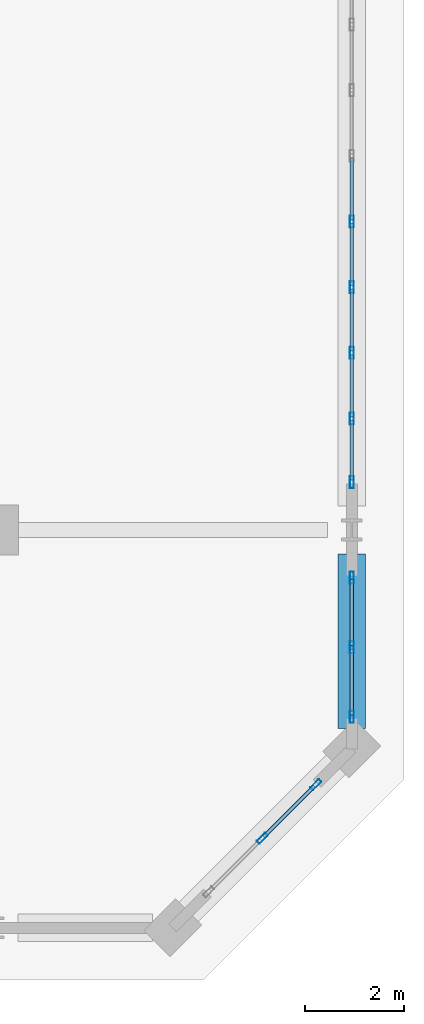
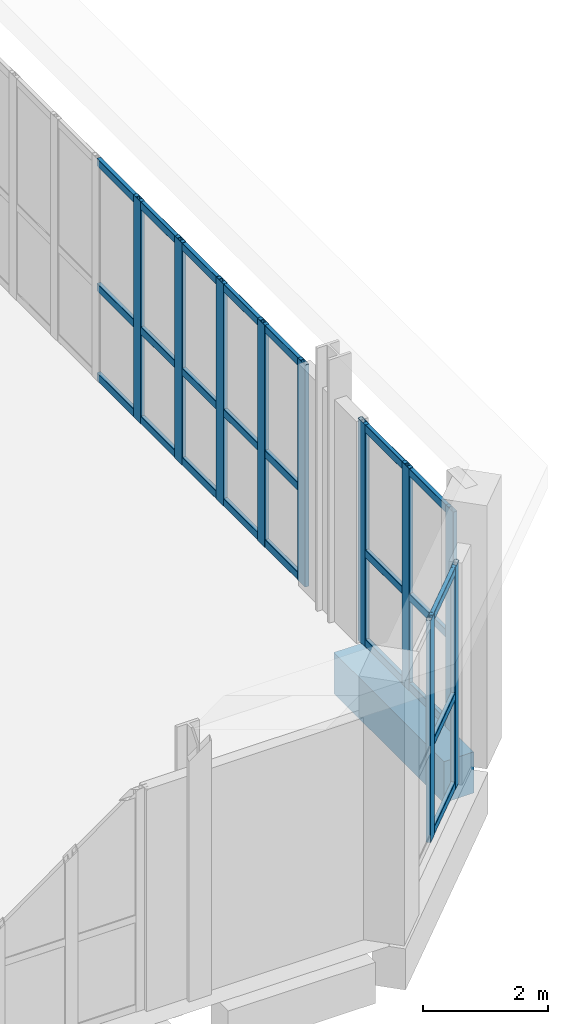
# One storey, part 14 of 26: 34 members, 1 beam, 3 elements without a shape of their own.
"""IFC4 building model written with IfcOpenShell, lengths in metres."""

from ifc_helpers import new_model, si_unit, direction, frame, origin, origin_2d, place, context, subcontext, project, spatial, rectangle, hollow_rectangle, extrude, material, layer, layer_set, material_profile, profile_set, type_object, element, aggregate, save


model = new_model("IFC4")

# Units and contexts
model_context = context("Model", 3, precision=1e-05, world=origin(), true_north=direction((0.0, 1.0)))
body_context = subcontext(model_context, "Body", "Model", "MODEL_VIEW")
ifc_project = project(units=[si_unit("LENGTHUNIT", "METRE"), si_unit("AREAUNIT", "SQUARE_METRE"), si_unit("VOLUMEUNIT", "CUBIC_METRE"), si_unit("PLANEANGLEUNIT", "RADIAN"), si_unit("MASSUNIT", "GRAM", prefix="KILO")], contexts=[model_context])

# Site, building, storey
site_placement = place(None, origin())
site = spatial("IfcSite", under=ifc_project, at=site_placement, CompositionType="ELEMENT")
building_placement = place(site_placement, origin())
building = spatial("IfcBuilding", under=site, at=building_placement, Name="Kaelvorn Grand Hotel", CompositionType="ELEMENT")
storey_placement = place(building_placement, frame((0.0, 0.0, 294.699951171875)))
storey = spatial("IfcBuildingStorey", under=building, at=storey_placement, Name="L72", CompositionType="ELEMENT", Elevation=294.699951171875)

# Beam
ifc_material_1 = material(Name="Concrete C50/60", Category="concrete")
ifc_material_profile_1 = material_profile(ifc_material_1, rectangle(XDim=0.550048828125, YDim=0.800048828125, at=origin_2d()), Name="RC SPANDREL 550x800")
ifc_profile_set_1 = profile_set([ifc_material_profile_1], Name="Concrete C50/60")
beam_type = type_object("IfcBeamType", Name="BM-SP-550x800-C50", PredefinedType="SPANDREL", material=ifc_profile_set_1)
beam_placement = place(storey_placement, frame((75.0, 11.0048828125, -0.780029296875), z_axis=(0.0, 1.0, 0.0), x_axis=(-1.0, 0.0, 0.0)))
element("IfcBeam", 1, at=beam_placement, inside=storey, type_object=beam_type, Name="L72 East Perimeter Spandrel 01", PredefinedType="SPANDREL", context=body_context, shape_type="SweptSolid", body=[
    extrude(rectangle(XDim=0.550048828125, YDim=0.800048828125, at=origin_2d()), origin(), (0.0, 0.0, 1.0), 3.510009765625),
])

# Curtain wall, members
ifc_material_2 = material(Name="Anodised Aluminium", Category="aluminium")
ifc_layer = layer(ifc_material_2, 0.239990234375)
ifc_layer_set = layer_set([ifc_layer], Name="Anodised Aluminium")
curtain_wall_type = type_object("IfcCurtainWallType", Name="CW-SYS5", PredefinedType="NOTDEFINED", material=ifc_layer_set)
curtain_wall_1_placement = place(storey_placement, origin())
curtain_wall_1 = element("IfcCurtainWall", 2, at=curtain_wall_1_placement, inside=storey, type_object=curtain_wall_type, Name="L72 Unitised Curtain Wall CW5 (CW-L72-SE)", PredefinedType="NOTDEFINED")
ifc_material_profile_2 = material_profile(ifc_material_2, hollow_rectangle(XDim=0.080078125, YDim=0.239990234375, WallThickness=0.0048828125, InnerFilletRadius=0.0048828125, OuterFilletRadius=0.010009765625, at=origin_2d()), Name="ALU MULL 80x240")
ifc_profile_set_2 = profile_set([ifc_material_profile_2], Name="Anodised Aluminium")
member_type_1 = type_object("IfcMemberType", Name="CW-SYS5-MULL", PredefinedType="MULLION", material=ifc_profile_set_2)
member_1_placement = place(storey_placement, frame((73.199951171875, 8.800048828125, 0.0), z_axis=(0.0, 0.0, 1.0), x_axis=(-0.707106781187, 0.707106781187, 0.0)))
member_1 = element("IfcMember", 3, at=member_1_placement, type_object=member_type_1, Name="CW5 mullion 2", PredefinedType="MULLION", context=body_context, shape_type="SweptSolid", body=[
    extrude(hollow_rectangle(XDim=0.080078125, YDim=0.239990234375, WallThickness=0.0048828125, InnerFilletRadius=0.0048828125, OuterFilletRadius=0.010009765625, at=origin_2d()), origin(), (0.0, 0.0, 1.0), 4.320068359375),
])
member_2_placement = place(storey_placement, frame((74.27880859375, 9.878662109375, 0.0), z_axis=(0.0, 0.0, 1.0), x_axis=(-0.707106781187, 0.707106781187, 0.0)))
member_2 = element("IfcMember", 4, at=member_2_placement, type_object=member_type_1, Name="CW5 mullion 3", PredefinedType="MULLION", context=body_context, shape_type="SweptSolid", body=[
    extrude(hollow_rectangle(XDim=0.080078125, YDim=0.239990234375, WallThickness=0.0048828125, InnerFilletRadius=0.0048828125, OuterFilletRadius=0.010009765625, at=origin_2d()), origin(), (0.0, 0.0, 1.0), 4.320068359375),
])

curtain_wall_2_placement = place(storey_placement, origin())
curtain_wall_2 = element("IfcCurtainWall", 5, at=curtain_wall_2_placement, inside=storey, type_object=curtain_wall_type, Name="L72 Unitised Curtain Wall CW5 (CW-L72-E-01)", PredefinedType="NOTDEFINED")
member_3_placement = place(storey_placement, frame((75.0, 11.239990234375, 0.0), z_axis=(0.0, 0.0, 1.0), x_axis=(-1.0, 0.0, 0.0)))
member_3 = element("IfcMember", 6, at=member_3_placement, type_object=member_type_1, Name="CW5 mullion 1", PredefinedType="MULLION", context=body_context, shape_type="SweptSolid", body=[
    extrude(hollow_rectangle(XDim=0.080078125, YDim=0.239990234375, WallThickness=0.0048828125, InnerFilletRadius=0.0048828125, OuterFilletRadius=0.010009765625, at=origin_2d()), origin(), (0.0, 0.0, 1.0), 4.320068359375),
])
member_4_placement = place(storey_placement, frame((75.0, 12.639892578125, 0.0), z_axis=(0.0, 0.0, 1.0), x_axis=(-1.0, 0.0, 0.0)))
member_4 = element("IfcMember", 7, at=member_4_placement, type_object=member_type_1, Name="CW5 mullion 2", PredefinedType="MULLION", context=body_context, shape_type="SweptSolid", body=[
    extrude(hollow_rectangle(XDim=0.080078125, YDim=0.239990234375, WallThickness=0.0048828125, InnerFilletRadius=0.0048828125, OuterFilletRadius=0.010009765625, at=origin_2d()), origin(), (0.0, 0.0, 1.0), 4.320068359375),
])
member_5_placement = place(storey_placement, frame((75.0, 14.0400390625, 0.0), z_axis=(0.0, 0.0, 1.0), x_axis=(-1.0, 0.0, 0.0)))
member_5 = element("IfcMember", 8, at=member_5_placement, type_object=member_type_1, Name="CW5 mullion 3", PredefinedType="MULLION", context=body_context, shape_type="SweptSolid", body=[
    extrude(hollow_rectangle(XDim=0.080078125, YDim=0.239990234375, WallThickness=0.0048828125, InnerFilletRadius=0.0048828125, OuterFilletRadius=0.010009765625, at=origin_2d()), origin(), (0.0, 0.0, 1.0), 4.320068359375),
])

curtain_wall_3_placement = place(storey_placement, origin())
curtain_wall_3 = element("IfcCurtainWall", 9, at=curtain_wall_3_placement, inside=storey, type_object=curtain_wall_type, Name="L72 Unitised Curtain Wall CW5 (CW-L72-E-02)", PredefinedType="NOTDEFINED")
member_6_placement = place(storey_placement, frame((75.0, 15.9599609375, 0.0), z_axis=(0.0, 0.0, 1.0), x_axis=(-1.0, 0.0, 0.0)))
member_6 = element("IfcMember", 10, at=member_6_placement, type_object=member_type_1, Name="CW5 mullion 1", PredefinedType="MULLION", context=body_context, shape_type="SweptSolid", body=[
    extrude(hollow_rectangle(XDim=0.080078125, YDim=0.239990234375, WallThickness=0.0048828125, InnerFilletRadius=0.0048828125, OuterFilletRadius=0.010009765625, at=origin_2d()), origin(), (0.0, 0.0, 1.0), 4.320068359375),
])
member_7_placement = place(storey_placement, frame((75.0, 17.239990234375, 0.0), z_axis=(0.0, 0.0, 1.0), x_axis=(-1.0, 0.0, 0.0)))
member_7 = element("IfcMember", 11, at=member_7_placement, type_object=member_type_1, Name="CW5 mullion 2", PredefinedType="MULLION", context=body_context, shape_type="SweptSolid", body=[
    extrude(hollow_rectangle(XDim=0.080078125, YDim=0.239990234375, WallThickness=0.0048828125, InnerFilletRadius=0.0048828125, OuterFilletRadius=0.010009765625, at=origin_2d()), origin(), (0.0, 0.0, 1.0), 4.320068359375),
])
member_8_placement = place(storey_placement, frame((75.0, 18.56005859375, 0.0), z_axis=(0.0, 0.0, 1.0), x_axis=(-1.0, 0.0, 0.0)))
member_8 = element("IfcMember", 12, at=member_8_placement, type_object=member_type_1, Name="CW5 mullion 3", PredefinedType="MULLION", context=body_context, shape_type="SweptSolid", body=[
    extrude(hollow_rectangle(XDim=0.080078125, YDim=0.239990234375, WallThickness=0.0048828125, InnerFilletRadius=0.0048828125, OuterFilletRadius=0.010009765625, at=origin_2d()), origin(), (0.0, 0.0, 1.0), 4.320068359375),
])
member_9_placement = place(storey_placement, frame((75.0, 19.8798828125, 0.0), z_axis=(0.0, 0.0, 1.0), x_axis=(-1.0, 0.0, 0.0)))
member_9 = element("IfcMember", 13, at=member_9_placement, type_object=member_type_1, Name="CW5 mullion 4", PredefinedType="MULLION", context=body_context, shape_type="SweptSolid", body=[
    extrude(hollow_rectangle(XDim=0.080078125, YDim=0.239990234375, WallThickness=0.0048828125, InnerFilletRadius=0.0048828125, OuterFilletRadius=0.010009765625, at=origin_2d()), origin(), (0.0, 0.0, 1.0), 4.320068359375),
])
member_10_placement = place(storey_placement, frame((75.0, 21.199951171875, 0.0), z_axis=(0.0, 0.0, 1.0), x_axis=(-1.0, 0.0, 0.0)))
member_10 = element("IfcMember", 14, at=member_10_placement, type_object=member_type_1, Name="CW5 mullion 5", PredefinedType="MULLION", context=body_context, shape_type="SweptSolid", body=[
    extrude(hollow_rectangle(XDim=0.080078125, YDim=0.239990234375, WallThickness=0.0048828125, InnerFilletRadius=0.0048828125, OuterFilletRadius=0.010009765625, at=origin_2d()), origin(), (0.0, 0.0, 1.0), 4.320068359375),
])

# Member
ifc_material_profile_3 = material_profile(ifc_material_2, hollow_rectangle(XDim=0.074951171875, YDim=0.14990234375, WallThickness=0.00390625, InnerFilletRadius=0.00390625, OuterFilletRadius=0.008056640625, at=origin_2d()), Name="ALU TRAN 75x150")
ifc_profile_set_3 = profile_set([ifc_material_profile_3], Name="Anodised Aluminium")
member_type_2 = type_object("IfcMemberType", Name="CW-SYS5-TRAN", PredefinedType="NOTDEFINED", material=ifc_profile_set_3)
member_11_placement = place(storey_placement, frame((73.228271484375, 8.828369140625, 0.074951171875), z_axis=(0.707106781187, 0.707106781187, 0.0), x_axis=(-0.707106781187, 0.707106781187, 0.0)))
member_11 = element("IfcMember", 15, at=member_11_placement, type_object=member_type_2, Name="CW5 transom 2.1", ObjectType="TRANSOM", PredefinedType="USERDEFINED", context=body_context, shape_type="SweptSolid", body=[
    extrude(hollow_rectangle(XDim=0.074951171875, YDim=0.14990234375, WallThickness=0.00390625, InnerFilletRadius=0.00390625, OuterFilletRadius=0.008056640625, at=origin_2d()), origin(), (0.0, 0.0, 1.0), 1.445556640625),
])

member_12_placement = place(storey_placement, frame((73.228271484375, 8.828369140625, 1.814453125), z_axis=(0.707106781187, 0.707106781187, 0.0), x_axis=(-0.707106781187, 0.707106781187, 0.0)))
member_12 = element("IfcMember", 16, at=member_12_placement, type_object=member_type_2, Name="CW5 transom 2.2", ObjectType="TRANSOM", PredefinedType="USERDEFINED", context=body_context, shape_type="SweptSolid", body=[
    extrude(hollow_rectangle(XDim=0.074951171875, YDim=0.14990234375, WallThickness=0.00390625, InnerFilletRadius=0.00390625, OuterFilletRadius=0.008056640625, at=origin_2d()), origin(), (0.0, 0.0, 1.0), 1.445556640625),
])

member_13_placement = place(storey_placement, frame((73.228271484375, 8.828369140625, 4.2451171875), z_axis=(0.707106781187, 0.707106781187, 0.0), x_axis=(-0.707106781187, 0.707106781187, 0.0)))
member_13 = element("IfcMember", 17, at=member_13_placement, type_object=member_type_2, Name="CW5 transom 2.3", ObjectType="TRANSOM", PredefinedType="USERDEFINED", context=body_context, shape_type="SweptSolid", body=[
    extrude(hollow_rectangle(XDim=0.074951171875, YDim=0.14990234375, WallThickness=0.00390625, InnerFilletRadius=0.00390625, OuterFilletRadius=0.008056640625, at=origin_2d()), origin(), (0.0, 0.0, 1.0), 1.445556640625),
])

aggregate(curtain_wall_1, [member_1, member_2, member_11, member_12, member_13])

member_14_placement = place(storey_placement, frame((75.0, 11.280029296875, 0.074951171875), z_axis=(0.0, 1.0, 0.0), x_axis=(-1.0, 0.0, 0.0)))
member_14 = element("IfcMember", 18, at=member_14_placement, type_object=member_type_2, Name="CW5 transom 1.1", ObjectType="TRANSOM", PredefinedType="USERDEFINED", context=body_context, shape_type="SweptSolid", body=[
    extrude(hollow_rectangle(XDim=0.074951171875, YDim=0.14990234375, WallThickness=0.00390625, InnerFilletRadius=0.00390625, OuterFilletRadius=0.008056640625, at=origin_2d()), origin(), (0.0, 0.0, 1.0), 1.320068359375),
])

member_15_placement = place(storey_placement, frame((75.0, 11.280029296875, 1.814453125), z_axis=(0.0, 1.0, 0.0), x_axis=(-1.0, 0.0, 0.0)))
member_15 = element("IfcMember", 19, at=member_15_placement, type_object=member_type_2, Name="CW5 transom 1.2", ObjectType="TRANSOM", PredefinedType="USERDEFINED", context=body_context, shape_type="SweptSolid", body=[
    extrude(hollow_rectangle(XDim=0.074951171875, YDim=0.14990234375, WallThickness=0.00390625, InnerFilletRadius=0.00390625, OuterFilletRadius=0.008056640625, at=origin_2d()), origin(), (0.0, 0.0, 1.0), 1.320068359375),
])

member_16_placement = place(storey_placement, frame((75.0, 11.280029296875, 4.2451171875), z_axis=(0.0, 1.0, 0.0), x_axis=(-1.0, 0.0, 0.0)))
member_16 = element("IfcMember", 20, at=member_16_placement, type_object=member_type_2, Name="CW5 transom 1.3", ObjectType="TRANSOM", PredefinedType="USERDEFINED", context=body_context, shape_type="SweptSolid", body=[
    extrude(hollow_rectangle(XDim=0.074951171875, YDim=0.14990234375, WallThickness=0.00390625, InnerFilletRadius=0.00390625, OuterFilletRadius=0.008056640625, at=origin_2d()), origin(), (0.0, 0.0, 1.0), 1.320068359375),
])

member_17_placement = place(storey_placement, frame((75.0, 12.679931640625, 0.074951171875), z_axis=(0.0, 1.0, 0.0), x_axis=(-1.0, 0.0, 0.0)))
member_17 = element("IfcMember", 21, at=member_17_placement, type_object=member_type_2, Name="CW5 transom 2.1", ObjectType="TRANSOM", PredefinedType="USERDEFINED", context=body_context, shape_type="SweptSolid", body=[
    extrude(hollow_rectangle(XDim=0.074951171875, YDim=0.14990234375, WallThickness=0.00390625, InnerFilletRadius=0.00390625, OuterFilletRadius=0.008056640625, at=origin_2d()), origin(), (0.0, 0.0, 1.0), 1.320068359375),
])

member_18_placement = place(storey_placement, frame((75.0, 12.679931640625, 1.814453125), z_axis=(0.0, 1.0, 0.0), x_axis=(-1.0, 0.0, 0.0)))
member_18 = element("IfcMember", 22, at=member_18_placement, type_object=member_type_2, Name="CW5 transom 2.2", ObjectType="TRANSOM", PredefinedType="USERDEFINED", context=body_context, shape_type="SweptSolid", body=[
    extrude(hollow_rectangle(XDim=0.074951171875, YDim=0.14990234375, WallThickness=0.00390625, InnerFilletRadius=0.00390625, OuterFilletRadius=0.008056640625, at=origin_2d()), origin(), (0.0, 0.0, 1.0), 1.320068359375),
])

member_19_placement = place(storey_placement, frame((75.0, 12.679931640625, 4.2451171875), z_axis=(0.0, 1.0, 0.0), x_axis=(-1.0, 0.0, 0.0)))
member_19 = element("IfcMember", 23, at=member_19_placement, type_object=member_type_2, Name="CW5 transom 2.3", ObjectType="TRANSOM", PredefinedType="USERDEFINED", context=body_context, shape_type="SweptSolid", body=[
    extrude(hollow_rectangle(XDim=0.074951171875, YDim=0.14990234375, WallThickness=0.00390625, InnerFilletRadius=0.00390625, OuterFilletRadius=0.008056640625, at=origin_2d()), origin(), (0.0, 0.0, 1.0), 1.320068359375),
])

aggregate(curtain_wall_2, [member_3, member_4, member_5, member_14, member_15, member_16, member_17, member_18, member_19])

member_20_placement = place(storey_placement, frame((75.0, 16.0, 0.074951171875), z_axis=(0.0, 1.0, 0.0), x_axis=(-1.0, 0.0, 0.0)))
member_20 = element("IfcMember", 24, at=member_20_placement, type_object=member_type_2, Name="CW5 transom 1.1", ObjectType="TRANSOM", PredefinedType="USERDEFINED", context=body_context, shape_type="SweptSolid", body=[
    extrude(hollow_rectangle(XDim=0.074951171875, YDim=0.14990234375, WallThickness=0.00390625, InnerFilletRadius=0.00390625, OuterFilletRadius=0.008056640625, at=origin_2d()), origin(), (0.0, 0.0, 1.0), 1.199951171875),
])

member_21_placement = place(storey_placement, frame((75.0, 16.0, 1.814453125), z_axis=(0.0, 1.0, 0.0), x_axis=(-1.0, 0.0, 0.0)))
member_21 = element("IfcMember", 25, at=member_21_placement, type_object=member_type_2, Name="CW5 transom 1.2", ObjectType="TRANSOM", PredefinedType="USERDEFINED", context=body_context, shape_type="SweptSolid", body=[
    extrude(hollow_rectangle(XDim=0.074951171875, YDim=0.14990234375, WallThickness=0.00390625, InnerFilletRadius=0.00390625, OuterFilletRadius=0.008056640625, at=origin_2d()), origin(), (0.0, 0.0, 1.0), 1.199951171875),
])

member_22_placement = place(storey_placement, frame((75.0, 16.0, 4.2451171875), z_axis=(0.0, 1.0, 0.0), x_axis=(-1.0, 0.0, 0.0)))
member_22 = element("IfcMember", 26, at=member_22_placement, type_object=member_type_2, Name="CW5 transom 1.3", ObjectType="TRANSOM", PredefinedType="USERDEFINED", context=body_context, shape_type="SweptSolid", body=[
    extrude(hollow_rectangle(XDim=0.074951171875, YDim=0.14990234375, WallThickness=0.00390625, InnerFilletRadius=0.00390625, OuterFilletRadius=0.008056640625, at=origin_2d()), origin(), (0.0, 0.0, 1.0), 1.199951171875),
])

member_23_placement = place(storey_placement, frame((75.0, 17.280029296875, 0.074951171875), z_axis=(0.0, 1.0, 0.0), x_axis=(-1.0, 0.0, 0.0)))
member_23 = element("IfcMember", 27, at=member_23_placement, type_object=member_type_2, Name="CW5 transom 2.1", ObjectType="TRANSOM", PredefinedType="USERDEFINED", context=body_context, shape_type="SweptSolid", body=[
    extrude(hollow_rectangle(XDim=0.074951171875, YDim=0.14990234375, WallThickness=0.00390625, InnerFilletRadius=0.00390625, OuterFilletRadius=0.008056640625, at=origin_2d()), origin(), (0.0, 0.0, 1.0), 1.239990234375),
])

member_24_placement = place(storey_placement, frame((75.0, 17.280029296875, 1.814453125), z_axis=(0.0, 1.0, 0.0), x_axis=(-1.0, 0.0, 0.0)))
member_24 = element("IfcMember", 28, at=member_24_placement, type_object=member_type_2, Name="CW5 transom 2.2", ObjectType="TRANSOM", PredefinedType="USERDEFINED", context=body_context, shape_type="SweptSolid", body=[
    extrude(hollow_rectangle(XDim=0.074951171875, YDim=0.14990234375, WallThickness=0.00390625, InnerFilletRadius=0.00390625, OuterFilletRadius=0.008056640625, at=origin_2d()), origin(), (0.0, 0.0, 1.0), 1.239990234375),
])

member_25_placement = place(storey_placement, frame((75.0, 17.280029296875, 4.2451171875), z_axis=(0.0, 1.0, 0.0), x_axis=(-1.0, 0.0, 0.0)))
member_25 = element("IfcMember", 29, at=member_25_placement, type_object=member_type_2, Name="CW5 transom 2.3", ObjectType="TRANSOM", PredefinedType="USERDEFINED", context=body_context, shape_type="SweptSolid", body=[
    extrude(hollow_rectangle(XDim=0.074951171875, YDim=0.14990234375, WallThickness=0.00390625, InnerFilletRadius=0.00390625, OuterFilletRadius=0.008056640625, at=origin_2d()), origin(), (0.0, 0.0, 1.0), 1.239990234375),
])

member_26_placement = place(storey_placement, frame((75.0, 18.60009765625, 0.074951171875), z_axis=(0.0, 1.0, 0.0), x_axis=(-1.0, 0.0, 0.0)))
member_26 = element("IfcMember", 30, at=member_26_placement, type_object=member_type_2, Name="CW5 transom 3.1", ObjectType="TRANSOM", PredefinedType="USERDEFINED", context=body_context, shape_type="SweptSolid", body=[
    extrude(hollow_rectangle(XDim=0.074951171875, YDim=0.14990234375, WallThickness=0.00390625, InnerFilletRadius=0.00390625, OuterFilletRadius=0.008056640625, at=origin_2d()), origin(), (0.0, 0.0, 1.0), 1.239990234375),
])

member_27_placement = place(storey_placement, frame((75.0, 18.60009765625, 1.814453125), z_axis=(0.0, 1.0, 0.0), x_axis=(-1.0, 0.0, 0.0)))
member_27 = element("IfcMember", 31, at=member_27_placement, type_object=member_type_2, Name="CW5 transom 3.2", ObjectType="TRANSOM", PredefinedType="USERDEFINED", context=body_context, shape_type="SweptSolid", body=[
    extrude(hollow_rectangle(XDim=0.074951171875, YDim=0.14990234375, WallThickness=0.00390625, InnerFilletRadius=0.00390625, OuterFilletRadius=0.008056640625, at=origin_2d()), origin(), (0.0, 0.0, 1.0), 1.239990234375),
])

member_28_placement = place(storey_placement, frame((75.0, 18.60009765625, 4.2451171875), z_axis=(0.0, 1.0, 0.0), x_axis=(-1.0, 0.0, 0.0)))
member_28 = element("IfcMember", 32, at=member_28_placement, type_object=member_type_2, Name="CW5 transom 3.3", ObjectType="TRANSOM", PredefinedType="USERDEFINED", context=body_context, shape_type="SweptSolid", body=[
    extrude(hollow_rectangle(XDim=0.074951171875, YDim=0.14990234375, WallThickness=0.00390625, InnerFilletRadius=0.00390625, OuterFilletRadius=0.008056640625, at=origin_2d()), origin(), (0.0, 0.0, 1.0), 1.239990234375),
])

member_29_placement = place(storey_placement, frame((75.0, 19.919921875, 0.074951171875), z_axis=(0.0, 1.0, 0.0), x_axis=(-1.0, 0.0, 0.0)))
member_29 = element("IfcMember", 33, at=member_29_placement, type_object=member_type_2, Name="CW5 transom 4.1", ObjectType="TRANSOM", PredefinedType="USERDEFINED", context=body_context, shape_type="SweptSolid", body=[
    extrude(hollow_rectangle(XDim=0.074951171875, YDim=0.14990234375, WallThickness=0.00390625, InnerFilletRadius=0.00390625, OuterFilletRadius=0.008056640625, at=origin_2d()), origin(), (0.0, 0.0, 1.0), 1.239990234375),
])

member_30_placement = place(storey_placement, frame((75.0, 19.919921875, 1.814453125), z_axis=(0.0, 1.0, 0.0), x_axis=(-1.0, 0.0, 0.0)))
member_30 = element("IfcMember", 34, at=member_30_placement, type_object=member_type_2, Name="CW5 transom 4.2", ObjectType="TRANSOM", PredefinedType="USERDEFINED", context=body_context, shape_type="SweptSolid", body=[
    extrude(hollow_rectangle(XDim=0.074951171875, YDim=0.14990234375, WallThickness=0.00390625, InnerFilletRadius=0.00390625, OuterFilletRadius=0.008056640625, at=origin_2d()), origin(), (0.0, 0.0, 1.0), 1.239990234375),
])

member_31_placement = place(storey_placement, frame((75.0, 19.919921875, 4.2451171875), z_axis=(0.0, 1.0, 0.0), x_axis=(-1.0, 0.0, 0.0)))
member_31 = element("IfcMember", 35, at=member_31_placement, type_object=member_type_2, Name="CW5 transom 4.3", ObjectType="TRANSOM", PredefinedType="USERDEFINED", context=body_context, shape_type="SweptSolid", body=[
    extrude(hollow_rectangle(XDim=0.074951171875, YDim=0.14990234375, WallThickness=0.00390625, InnerFilletRadius=0.00390625, OuterFilletRadius=0.008056640625, at=origin_2d()), origin(), (0.0, 0.0, 1.0), 1.239990234375),
])

member_32_placement = place(storey_placement, frame((75.0, 21.239990234375, 0.074951171875), z_axis=(0.0, 1.0, 0.0), x_axis=(-1.0, 0.0, 0.0)))
member_32 = element("IfcMember", 36, at=member_32_placement, type_object=member_type_2, Name="CW5 transom 5.1", ObjectType="TRANSOM", PredefinedType="USERDEFINED", context=body_context, shape_type="SweptSolid", body=[
    extrude(hollow_rectangle(XDim=0.074951171875, YDim=0.14990234375, WallThickness=0.00390625, InnerFilletRadius=0.00390625, OuterFilletRadius=0.008056640625, at=origin_2d()), origin(), (0.0, 0.0, 1.0), 1.239990234375),
])

member_33_placement = place(storey_placement, frame((75.0, 21.239990234375, 1.814453125), z_axis=(0.0, 1.0, 0.0), x_axis=(-1.0, 0.0, 0.0)))
member_33 = element("IfcMember", 37, at=member_33_placement, type_object=member_type_2, Name="CW5 transom 5.2", ObjectType="TRANSOM", PredefinedType="USERDEFINED", context=body_context, shape_type="SweptSolid", body=[
    extrude(hollow_rectangle(XDim=0.074951171875, YDim=0.14990234375, WallThickness=0.00390625, InnerFilletRadius=0.00390625, OuterFilletRadius=0.008056640625, at=origin_2d()), origin(), (0.0, 0.0, 1.0), 1.239990234375),
])

member_34_placement = place(storey_placement, frame((75.0, 21.239990234375, 4.2451171875), z_axis=(0.0, 1.0, 0.0), x_axis=(-1.0, 0.0, 0.0)))
member_34 = element("IfcMember", 38, at=member_34_placement, type_object=member_type_2, Name="CW5 transom 5.3", ObjectType="TRANSOM", PredefinedType="USERDEFINED", context=body_context, shape_type="SweptSolid", body=[
    extrude(hollow_rectangle(XDim=0.074951171875, YDim=0.14990234375, WallThickness=0.00390625, InnerFilletRadius=0.00390625, OuterFilletRadius=0.008056640625, at=origin_2d()), origin(), (0.0, 0.0, 1.0), 1.239990234375),
])

aggregate(curtain_wall_3, [member_6, member_7, member_8, member_9, member_10, member_20, member_21, member_22, member_23, member_24, member_25, member_26, member_27, member_28, member_29, member_30, member_31, member_32, member_33, member_34])

save(model, "model.ifc")
